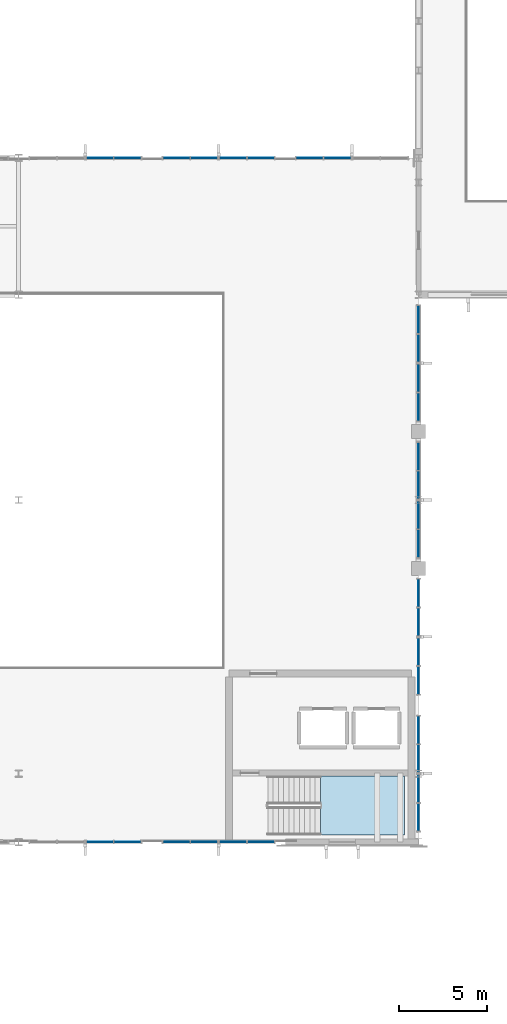
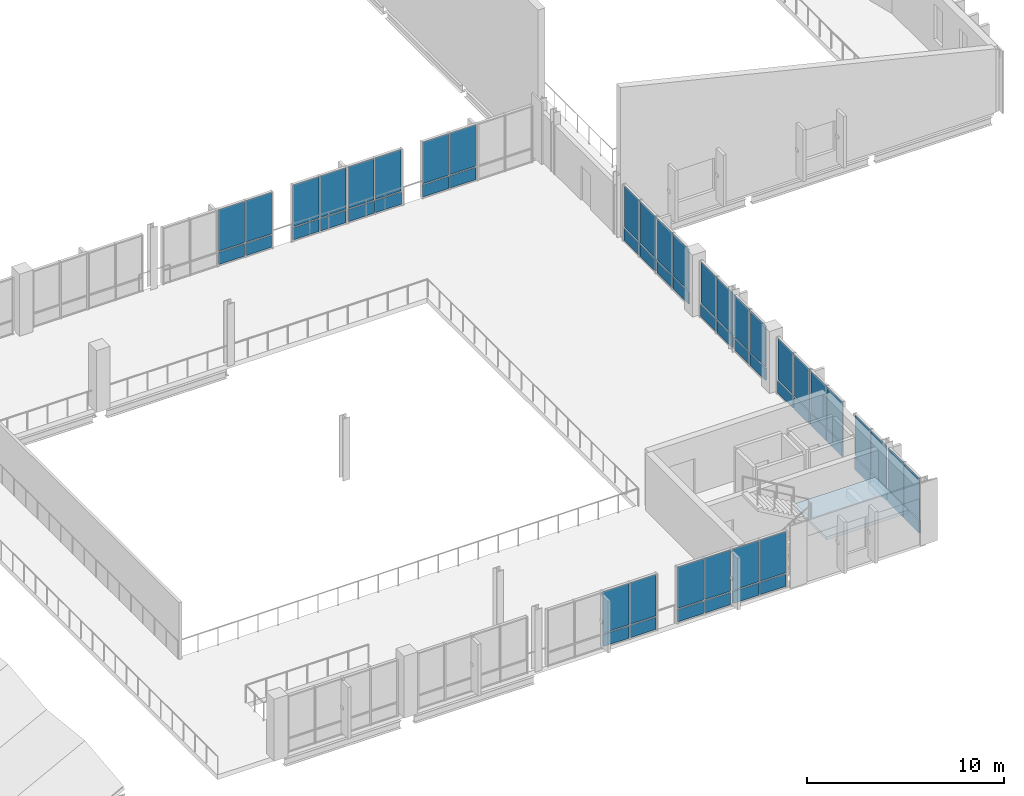
# One storey, part 33 of 64: 60 plates, 1 slab, 16 elements without a shape of their own.
"""IFC4 building model written with IfcOpenShell, lengths in metres."""

from ifc_helpers import new_model, si_unit, direction, frame, origin, origin_2d, place, context, subcontext, project, spatial, polyline, rectangle, outline, extrude, material, layer, layer_set, type_object, element, aggregate, save


model = new_model("IFC4")

# Units and contexts
model_context = context("Model", 3, precision=1e-05, world=origin(), true_north=direction((0.0, 1.0)))
body_context = subcontext(model_context, "Body", "Model", "MODEL_VIEW")
ifc_project = project(units=[si_unit("LENGTHUNIT", "METRE"), si_unit("AREAUNIT", "SQUARE_METRE"), si_unit("VOLUMEUNIT", "CUBIC_METRE"), si_unit("PLANEANGLEUNIT", "RADIAN"), si_unit("MASSUNIT", "GRAM", prefix="KILO")], contexts=[model_context])

# Site, building, storey
site_placement = place(None, origin())
site = spatial("IfcSite", under=ifc_project, at=site_placement, CompositionType="ELEMENT")
building_placement = place(site_placement, origin())
building = spatial("IfcBuilding", under=site, at=building_placement, Name="Vervanel Yard Central Library", CompositionType="ELEMENT")
storey_placement = place(building_placement, frame((0.0, 0.0, 8.93994140625)))
storey = spatial("IfcBuildingStorey", under=building, at=storey_placement, Name="L02", CompositionType="ELEMENT", Elevation=8.93994140625)

# Stair, slab
ifc_material_1 = material(Name="Concrete C40/50", Category="concrete")
stair_type = type_object("IfcStairType", Name="Protected Core Dog-Leg Stair ST-05", PredefinedType="HALF_TURN_STAIR", material=ifc_material_1)
stair_placement = place(storey_placement, origin())
stair = element("IfcStair", 1, at=stair_placement, inside=storey, type_object=stair_type, Name="L02 CORE-E Protected Exit Stair", PredefinedType="HALF_TURN_STAIR")
ifc_layer_1 = layer(ifc_material_1, 0.199951171875, Category="concrete")
ifc_layer_set_1 = layer_set([ifc_layer_1], Name="Concrete C40/50")
slab_type = type_object("IfcSlabType", Name="Core Stair Concrete Landing Slab 200", PredefinedType="LANDING", material=ifc_layer_set_1)
slab_placement = place(storey_placement, frame((0.0, 0.0, 1.719970703125)))
slab = element("IfcSlab", 2, at=slab_placement, type_object=slab_type, Name="ST-05 landing 1", PredefinedType="LANDING", context=body_context, shape_type="SweptSolid", body=[
    extrude(outline(polyline([(140.39990234375, 43.60009765625), (145.199951171875, 43.60009765625), (145.199951171875, 46.9599609375), (140.39990234375, 46.9599609375), (140.39990234375, 43.60009765625)])), origin(), (0.0, 0.0, 1.0), 0.2001953125),
])
aggregate(stair, [slab])

# Curtain wall, plates
ifc_material_2 = material(Name="Thermally broken anodized aluminium 6063-T6", Category="aluminium")
curtain_wall_type_1 = type_object("IfcCurtainWallType", Name="Reading Hall Full-Height Curtain Wall", PredefinedType="NOTDEFINED", material=ifc_material_2)
curtain_wall_1_placement = place(storey_placement, origin())
curtain_wall_1 = element("IfcCurtainWall", 3, at=curtain_wall_1_placement, inside=storey, type_object=curtain_wall_type_1, Name="L02 Reading Hall Full-Height Curtain Wall CWR-L02-073", PredefinedType="NOTDEFINED")
ifc_material_3 = material(Name="Double low-E laminated solar-control glass", Category="glass")
ifc_layer_2 = layer(ifc_material_3, 0.0380859375, Category="glass")
ifc_layer_set_2 = layer_set([ifc_layer_2], Name="Double low-E laminated solar-control glass")
plate_type_1 = type_object("IfcPlateType", Name="Reading Hall Acoustic Vision Panel 38", PredefinedType="CURTAIN_PANEL", material=ifc_layer_set_2)
plate_1_placement = place(storey_placement, frame((127.827392578125, 43.199951171875, 0.88525390625), z_axis=(0.0, 0.0, 1.0), x_axis=(1.0, 0.0, 0.0)))
plate_1 = element("IfcPlate", 4, at=plate_1_placement, type_object=plate_type_1, Name="CWR-L02-073 Panel B1-2", PredefinedType="CURTAIN_PANEL", context=body_context, shape_type="SweptSolid", body=[
    extrude(rectangle(XDim=1.514892578125, YDim=0.0380859375, at=origin_2d()), origin(), (0.0, 0.0, 1.0), 2.554931640625),
])
plate_2_placement = place(storey_placement, frame((129.41259765625, 43.199951171875, 0.88525390625), z_axis=(0.0, 0.0, 1.0), x_axis=(1.0, 0.0, 0.0)))
plate_2 = element("IfcPlate", 5, at=plate_2_placement, type_object=plate_type_1, Name="CWR-L02-073 Panel B2-2", PredefinedType="CURTAIN_PANEL", context=body_context, shape_type="SweptSolid", body=[
    extrude(rectangle(XDim=1.514892578125, YDim=0.0380859375, at=origin_2d()), origin(), (0.0, 0.0, 1.0), 2.554931640625),
])

curtain_wall_2_placement = place(storey_placement, origin())
curtain_wall_2 = element("IfcCurtainWall", 6, at=curtain_wall_2_placement, inside=storey, type_object=curtain_wall_type_1, Name="L02 Reading Hall Full-Height Curtain Wall CWR-L02-074", PredefinedType="NOTDEFINED")
plate_3_placement = place(storey_placement, frame((132.1875, 43.199951171875, 0.88525390625), z_axis=(0.0, 0.0, 1.0), x_axis=(1.0, 0.0, 0.0)))
plate_3 = element("IfcPlate", 7, at=plate_3_placement, type_object=plate_type_1, Name="CWR-L02-074 Panel B1-2", PredefinedType="CURTAIN_PANEL", context=body_context, shape_type="SweptSolid", body=[
    extrude(rectangle(XDim=1.514892578125, YDim=0.0380859375, at=origin_2d()), origin(), (0.0, 0.0, 1.0), 2.554931640625),
])
plate_4_placement = place(storey_placement, frame((133.7724609375, 43.199951171875, 0.88525390625), z_axis=(0.0, 0.0, 1.0), x_axis=(1.0, 0.0, 0.0)))
plate_4 = element("IfcPlate", 8, at=plate_4_placement, type_object=plate_type_1, Name="CWR-L02-074 Panel B2-2", PredefinedType="CURTAIN_PANEL", context=body_context, shape_type="SweptSolid", body=[
    extrude(rectangle(XDim=1.514892578125, YDim=0.0380859375, at=origin_2d()), origin(), (0.0, 0.0, 1.0), 2.554931640625),
])

curtain_wall_3_placement = place(storey_placement, origin())
curtain_wall_3 = element("IfcCurtainWall", 9, at=curtain_wall_3_placement, inside=storey, type_object=curtain_wall_type_1, Name="L02 Reading Hall Full-Height Curtain Wall CWR-L02-075", PredefinedType="NOTDEFINED")
plate_5_placement = place(storey_placement, frame((135.427490234375, 43.199951171875, 0.88525390625), z_axis=(0.0, 0.0, 1.0), x_axis=(1.0, 0.0, 0.0)))
plate_5 = element("IfcPlate", 10, at=plate_5_placement, type_object=plate_type_1, Name="CWR-L02-075 Panel B1-2", PredefinedType="CURTAIN_PANEL", context=body_context, shape_type="SweptSolid", body=[
    extrude(rectangle(XDim=1.514892578125, YDim=0.0380859375, at=origin_2d()), origin(), (0.0, 0.0, 1.0), 2.554931640625),
])
plate_6_placement = place(storey_placement, frame((137.012451171875, 43.199951171875, 0.88525390625), z_axis=(0.0, 0.0, 1.0), x_axis=(1.0, 0.0, 0.0)))
plate_6 = element("IfcPlate", 11, at=plate_6_placement, type_object=plate_type_1, Name="CWR-L02-075 Panel B2-2", PredefinedType="CURTAIN_PANEL", context=body_context, shape_type="SweptSolid", body=[
    extrude(rectangle(XDim=1.514892578125, YDim=0.0380859375, at=origin_2d()), origin(), (0.0, 0.0, 1.0), 2.554931640625),
])

curtain_wall_4_placement = place(storey_placement, origin())
curtain_wall_4 = element("IfcCurtainWall", 12, at=curtain_wall_4_placement, inside=storey, type_object=curtain_wall_type_1, Name="L02 Reading Hall Full-Height Curtain Wall CWR-L02-103", PredefinedType="NOTDEFINED")
plate_7_placement = place(storey_placement, frame((127.827392578125, 82.199951171875, 0.88525390625), z_axis=(0.0, 0.0, 1.0), x_axis=(1.0, 0.0, 0.0)))
plate_7 = element("IfcPlate", 13, at=plate_7_placement, type_object=plate_type_1, Name="CWR-L02-103 Panel B1-2", PredefinedType="CURTAIN_PANEL", context=body_context, shape_type="SweptSolid", body=[
    extrude(rectangle(XDim=1.514892578125, YDim=0.0380859375, at=origin_2d()), origin(), (0.0, 0.0, 1.0), 2.554931640625),
])
plate_8_placement = place(storey_placement, frame((129.41259765625, 82.199951171875, 0.88525390625), z_axis=(0.0, 0.0, 1.0), x_axis=(1.0, 0.0, 0.0)))
plate_8 = element("IfcPlate", 14, at=plate_8_placement, type_object=plate_type_1, Name="CWR-L02-103 Panel B2-2", PredefinedType="CURTAIN_PANEL", context=body_context, shape_type="SweptSolid", body=[
    extrude(rectangle(XDim=1.514892578125, YDim=0.0380859375, at=origin_2d()), origin(), (0.0, 0.0, 1.0), 2.554931640625),
])

curtain_wall_5_placement = place(storey_placement, origin())
curtain_wall_5 = element("IfcCurtainWall", 15, at=curtain_wall_5_placement, inside=storey, type_object=curtain_wall_type_1, Name="L02 Reading Hall Full-Height Curtain Wall CWR-L02-104", PredefinedType="NOTDEFINED")
plate_9_placement = place(storey_placement, frame((132.1875, 82.199951171875, 0.88525390625), z_axis=(0.0, 0.0, 1.0), x_axis=(1.0, 0.0, 0.0)))
plate_9 = element("IfcPlate", 16, at=plate_9_placement, type_object=plate_type_1, Name="CWR-L02-104 Panel B1-2", PredefinedType="CURTAIN_PANEL", context=body_context, shape_type="SweptSolid", body=[
    extrude(rectangle(XDim=1.514892578125, YDim=0.0380859375, at=origin_2d()), origin(), (0.0, 0.0, 1.0), 2.554931640625),
])
plate_10_placement = place(storey_placement, frame((133.7724609375, 82.199951171875, 0.88525390625), z_axis=(0.0, 0.0, 1.0), x_axis=(1.0, 0.0, 0.0)))
plate_10 = element("IfcPlate", 17, at=plate_10_placement, type_object=plate_type_1, Name="CWR-L02-104 Panel B2-2", PredefinedType="CURTAIN_PANEL", context=body_context, shape_type="SweptSolid", body=[
    extrude(rectangle(XDim=1.514892578125, YDim=0.0380859375, at=origin_2d()), origin(), (0.0, 0.0, 1.0), 2.554931640625),
])

curtain_wall_6_placement = place(storey_placement, origin())
curtain_wall_6 = element("IfcCurtainWall", 18, at=curtain_wall_6_placement, inside=storey, type_object=curtain_wall_type_1, Name="L02 Reading Hall Full-Height Curtain Wall CWR-L02-105", PredefinedType="NOTDEFINED")
plate_11_placement = place(storey_placement, frame((135.427490234375, 82.199951171875, 0.88525390625), z_axis=(0.0, 0.0, 1.0), x_axis=(1.0, 0.0, 0.0)))
plate_11 = element("IfcPlate", 19, at=plate_11_placement, type_object=plate_type_1, Name="CWR-L02-105 Panel B1-2", PredefinedType="CURTAIN_PANEL", context=body_context, shape_type="SweptSolid", body=[
    extrude(rectangle(XDim=1.514892578125, YDim=0.0380859375, at=origin_2d()), origin(), (0.0, 0.0, 1.0), 2.554931640625),
])
plate_12_placement = place(storey_placement, frame((137.012451171875, 82.199951171875, 0.88525390625), z_axis=(0.0, 0.0, 1.0), x_axis=(1.0, 0.0, 0.0)))
plate_12 = element("IfcPlate", 20, at=plate_12_placement, type_object=plate_type_1, Name="CWR-L02-105 Panel B2-2", PredefinedType="CURTAIN_PANEL", context=body_context, shape_type="SweptSolid", body=[
    extrude(rectangle(XDim=1.514892578125, YDim=0.0380859375, at=origin_2d()), origin(), (0.0, 0.0, 1.0), 2.554931640625),
])

curtain_wall_7_placement = place(storey_placement, origin())
curtain_wall_7 = element("IfcCurtainWall", 21, at=curtain_wall_7_placement, inside=storey, type_object=curtain_wall_type_1, Name="L02 Reading Hall Full-Height Curtain Wall CWR-L02-106", PredefinedType="NOTDEFINED")
plate_13_placement = place(storey_placement, frame((139.78759765625, 82.199951171875, 0.88525390625), z_axis=(0.0, 0.0, 1.0), x_axis=(1.0, 0.0, 0.0)))
plate_13 = element("IfcPlate", 22, at=plate_13_placement, type_object=plate_type_1, Name="CWR-L02-106 Panel B1-2", PredefinedType="CURTAIN_PANEL", context=body_context, shape_type="SweptSolid", body=[
    extrude(rectangle(XDim=1.514892578125, YDim=0.0380859375, at=origin_2d()), origin(), (0.0, 0.0, 1.0), 2.554931640625),
])
plate_14_placement = place(storey_placement, frame((141.37255859375, 82.199951171875, 0.88525390625), z_axis=(0.0, 0.0, 1.0), x_axis=(1.0, 0.0, 0.0)))
plate_14 = element("IfcPlate", 23, at=plate_14_placement, type_object=plate_type_1, Name="CWR-L02-106 Panel B2-2", PredefinedType="CURTAIN_PANEL", context=body_context, shape_type="SweptSolid", body=[
    extrude(rectangle(XDim=1.514892578125, YDim=0.0380859375, at=origin_2d()), origin(), (0.0, 0.0, 1.0), 2.554931640625),
])

curtain_wall_type_2 = type_object("IfcCurtainWallType", Name="Prow Cantilever Glazed Curtain Wall", PredefinedType="NOTDEFINED", material=ifc_material_2)
curtain_wall_8_placement = place(storey_placement, origin())
curtain_wall_8 = element("IfcCurtainWall", 24, at=curtain_wall_8_placement, inside=storey, type_object=curtain_wall_type_2, Name="L02 Prow Cantilever Glazed Curtain Wall CWR-L02-132", PredefinedType="NOTDEFINED")
plate_15_placement = place(storey_placement, frame((146.0, 44.612548828125, 0.88525390625), z_axis=(0.0, 0.0, 1.0), x_axis=(0.0, 1.0, 0.0)))
plate_15 = element("IfcPlate", 25, at=plate_15_placement, type_object=plate_type_1, Name="CWR-L02-132 Panel B1-2", PredefinedType="CURTAIN_PANEL", context=body_context, shape_type="SweptSolid", body=[
    extrude(rectangle(XDim=1.56494140625, YDim=0.0380859375, at=origin_2d()), origin(), (0.0, 0.0, 1.0), 2.554931640625),
])
plate_16_placement = place(storey_placement, frame((146.0, 46.24755859375, 0.88525390625), z_axis=(0.0, 0.0, 1.0), x_axis=(0.0, 1.0, 0.0)))
plate_16 = element("IfcPlate", 26, at=plate_16_placement, type_object=plate_type_1, Name="CWR-L02-132 Panel B2-2", PredefinedType="CURTAIN_PANEL", context=body_context, shape_type="SweptSolid", body=[
    extrude(rectangle(XDim=1.56494140625, YDim=0.0380859375, at=origin_2d()), origin(), (0.0, 0.0, 1.0), 2.554931640625),
])

curtain_wall_9_placement = place(storey_placement, origin())
curtain_wall_9 = element("IfcCurtainWall", 27, at=curtain_wall_9_placement, inside=storey, type_object=curtain_wall_type_2, Name="L02 Prow Cantilever Glazed Curtain Wall CWR-L02-133", PredefinedType="NOTDEFINED")
plate_17_placement = place(storey_placement, frame((146.0, 47.952392578125, 0.88525390625), z_axis=(0.0, 0.0, 1.0), x_axis=(0.0, 1.0, 0.0)))
plate_17 = element("IfcPlate", 28, at=plate_17_placement, type_object=plate_type_1, Name="CWR-L02-133 Panel B1-2", PredefinedType="CURTAIN_PANEL", context=body_context, shape_type="SweptSolid", body=[
    extrude(rectangle(XDim=1.56494140625, YDim=0.0380859375, at=origin_2d()), origin(), (0.0, 0.0, 1.0), 2.554931640625),
])
plate_18_placement = place(storey_placement, frame((146.0, 49.58740234375, 0.88525390625), z_axis=(0.0, 0.0, 1.0), x_axis=(0.0, 1.0, 0.0)))
plate_18 = element("IfcPlate", 29, at=plate_18_placement, type_object=plate_type_1, Name="CWR-L02-133 Panel B2-2", PredefinedType="CURTAIN_PANEL", context=body_context, shape_type="SweptSolid", body=[
    extrude(rectangle(XDim=1.56494140625, YDim=0.0380859375, at=origin_2d()), origin(), (0.0, 0.0, 1.0), 2.554931640625),
])

curtain_wall_10_placement = place(storey_placement, origin())
curtain_wall_10 = element("IfcCurtainWall", 30, at=curtain_wall_10_placement, inside=storey, type_object=curtain_wall_type_2, Name="L02 Prow Cantilever Glazed Curtain Wall CWR-L02-134", PredefinedType="NOTDEFINED")
plate_19_placement = place(storey_placement, frame((146.0, 52.41259765625, 0.88525390625), z_axis=(0.0, 0.0, 1.0), x_axis=(0.0, 1.0, 0.0)))
plate_19 = element("IfcPlate", 31, at=plate_19_placement, type_object=plate_type_1, Name="CWR-L02-134 Panel B1-2", PredefinedType="CURTAIN_PANEL", context=body_context, shape_type="SweptSolid", body=[
    extrude(rectangle(XDim=1.56494140625, YDim=0.0380859375, at=origin_2d()), origin(), (0.0, 0.0, 1.0), 2.554931640625),
])
plate_20_placement = place(storey_placement, frame((146.0, 54.047607421875, 0.88525390625), z_axis=(0.0, 0.0, 1.0), x_axis=(0.0, 1.0, 0.0)))
plate_20 = element("IfcPlate", 32, at=plate_20_placement, type_object=plate_type_1, Name="CWR-L02-134 Panel B2-2", PredefinedType="CURTAIN_PANEL", context=body_context, shape_type="SweptSolid", body=[
    extrude(rectangle(XDim=1.56494140625, YDim=0.0380859375, at=origin_2d()), origin(), (0.0, 0.0, 1.0), 2.554931640625),
])

curtain_wall_11_placement = place(storey_placement, origin())
curtain_wall_11 = element("IfcCurtainWall", 33, at=curtain_wall_11_placement, inside=storey, type_object=curtain_wall_type_2, Name="L02 Prow Cantilever Glazed Curtain Wall CWR-L02-135", PredefinedType="NOTDEFINED")
plate_21_placement = place(storey_placement, frame((146.0, 55.75244140625, 0.88525390625), z_axis=(0.0, 0.0, 1.0), x_axis=(0.0, 1.0, 0.0)))
plate_21 = element("IfcPlate", 34, at=plate_21_placement, type_object=plate_type_1, Name="CWR-L02-135 Panel B1-2", PredefinedType="CURTAIN_PANEL", context=body_context, shape_type="SweptSolid", body=[
    extrude(rectangle(XDim=1.56494140625, YDim=0.0380859375, at=origin_2d()), origin(), (0.0, 0.0, 1.0), 2.554931640625),
])
plate_22_placement = place(storey_placement, frame((146.0, 57.387451171875, 0.88525390625), z_axis=(0.0, 0.0, 1.0), x_axis=(0.0, 1.0, 0.0)))
plate_22 = element("IfcPlate", 35, at=plate_22_placement, type_object=plate_type_1, Name="CWR-L02-135 Panel B2-2", PredefinedType="CURTAIN_PANEL", context=body_context, shape_type="SweptSolid", body=[
    extrude(rectangle(XDim=1.56494140625, YDim=0.0380859375, at=origin_2d()), origin(), (0.0, 0.0, 1.0), 2.554931640625),
])

curtain_wall_12_placement = place(storey_placement, origin())
curtain_wall_12 = element("IfcCurtainWall", 36, at=curtain_wall_12_placement, inside=storey, type_object=curtain_wall_type_2, Name="L02 Prow Cantilever Glazed Curtain Wall CWR-L02-136", PredefinedType="NOTDEFINED")
plate_23_placement = place(storey_placement, frame((146.0, 60.21240234375, 0.88525390625), z_axis=(0.0, 0.0, 1.0), x_axis=(0.0, 1.0, 0.0)))
plate_23 = element("IfcPlate", 37, at=plate_23_placement, type_object=plate_type_1, Name="CWR-L02-136 Panel B1-2", PredefinedType="CURTAIN_PANEL", context=body_context, shape_type="SweptSolid", body=[
    extrude(rectangle(XDim=1.56494140625, YDim=0.0380859375, at=origin_2d()), origin(), (0.0, 0.0, 1.0), 2.554931640625),
])
plate_24_placement = place(storey_placement, frame((146.0, 61.847412109375, 0.88525390625), z_axis=(0.0, 0.0, 1.0), x_axis=(0.0, 1.0, 0.0)))
plate_24 = element("IfcPlate", 38, at=plate_24_placement, type_object=plate_type_1, Name="CWR-L02-136 Panel B2-2", PredefinedType="CURTAIN_PANEL", context=body_context, shape_type="SweptSolid", body=[
    extrude(rectangle(XDim=1.56494140625, YDim=0.0380859375, at=origin_2d()), origin(), (0.0, 0.0, 1.0), 2.554931640625),
])

curtain_wall_13_placement = place(storey_placement, origin())
curtain_wall_13 = element("IfcCurtainWall", 39, at=curtain_wall_13_placement, inside=storey, type_object=curtain_wall_type_2, Name="L02 Prow Cantilever Glazed Curtain Wall CWR-L02-137", PredefinedType="NOTDEFINED")
plate_25_placement = place(storey_placement, frame((146.0, 63.552490234375, 0.88525390625), z_axis=(0.0, 0.0, 1.0), x_axis=(0.0, 1.0, 0.0)))
plate_25 = element("IfcPlate", 40, at=plate_25_placement, type_object=plate_type_1, Name="CWR-L02-137 Panel B1-2", PredefinedType="CURTAIN_PANEL", context=body_context, shape_type="SweptSolid", body=[
    extrude(rectangle(XDim=1.56494140625, YDim=0.0380859375, at=origin_2d()), origin(), (0.0, 0.0, 1.0), 2.554931640625),
])
plate_26_placement = place(storey_placement, frame((146.0, 65.1875, 0.88525390625), z_axis=(0.0, 0.0, 1.0), x_axis=(0.0, 1.0, 0.0)))
plate_26 = element("IfcPlate", 41, at=plate_26_placement, type_object=plate_type_1, Name="CWR-L02-137 Panel B2-2", PredefinedType="CURTAIN_PANEL", context=body_context, shape_type="SweptSolid", body=[
    extrude(rectangle(XDim=1.56494140625, YDim=0.0380859375, at=origin_2d()), origin(), (0.0, 0.0, 1.0), 2.554931640625),
])

curtain_wall_14_placement = place(storey_placement, origin())
curtain_wall_14 = element("IfcCurtainWall", 42, at=curtain_wall_14_placement, inside=storey, type_object=curtain_wall_type_2, Name="L02 Prow Cantilever Glazed Curtain Wall CWR-L02-138", PredefinedType="NOTDEFINED")
plate_27_placement = place(storey_placement, frame((146.0, 68.012451171875, 0.88525390625), z_axis=(0.0, 0.0, 1.0), x_axis=(0.0, 1.0, 0.0)))
plate_27 = element("IfcPlate", 43, at=plate_27_placement, type_object=plate_type_1, Name="CWR-L02-138 Panel B1-2", PredefinedType="CURTAIN_PANEL", context=body_context, shape_type="SweptSolid", body=[
    extrude(rectangle(XDim=1.56494140625, YDim=0.0380859375, at=origin_2d()), origin(), (0.0, 0.0, 1.0), 2.554931640625),
])
plate_28_placement = place(storey_placement, frame((146.0, 69.6474609375, 0.88525390625), z_axis=(0.0, 0.0, 1.0), x_axis=(0.0, 1.0, 0.0)))
plate_28 = element("IfcPlate", 44, at=plate_28_placement, type_object=plate_type_1, Name="CWR-L02-138 Panel B2-2", PredefinedType="CURTAIN_PANEL", context=body_context, shape_type="SweptSolid", body=[
    extrude(rectangle(XDim=1.56494140625, YDim=0.0380859375, at=origin_2d()), origin(), (0.0, 0.0, 1.0), 2.554931640625),
])

curtain_wall_15_placement = place(storey_placement, origin())
curtain_wall_15 = element("IfcCurtainWall", 45, at=curtain_wall_15_placement, inside=storey, type_object=curtain_wall_type_2, Name="L02 Prow Cantilever Glazed Curtain Wall CWR-L02-139", PredefinedType="NOTDEFINED")
plate_29_placement = place(storey_placement, frame((146.0, 71.3525390625, 0.88525390625), z_axis=(0.0, 0.0, 1.0), x_axis=(0.0, 1.0, 0.0)))
plate_29 = element("IfcPlate", 46, at=plate_29_placement, type_object=plate_type_1, Name="CWR-L02-139 Panel B1-2", PredefinedType="CURTAIN_PANEL", context=body_context, shape_type="SweptSolid", body=[
    extrude(rectangle(XDim=1.56494140625, YDim=0.0380859375, at=origin_2d()), origin(), (0.0, 0.0, 1.0), 2.554931640625),
])
plate_30_placement = place(storey_placement, frame((146.0, 72.987548828125, 0.88525390625), z_axis=(0.0, 0.0, 1.0), x_axis=(0.0, 1.0, 0.0)))
plate_30 = element("IfcPlate", 47, at=plate_30_placement, type_object=plate_type_1, Name="CWR-L02-139 Panel B2-2", PredefinedType="CURTAIN_PANEL", context=body_context, shape_type="SweptSolid", body=[
    extrude(rectangle(XDim=1.56494140625, YDim=0.0380859375, at=origin_2d()), origin(), (0.0, 0.0, 1.0), 2.554931640625),
])

# Plate
ifc_material_4 = material(Name="Insulated bronze aluminium spandrel panel", Category="aluminium")
ifc_layer_3 = layer(ifc_material_4, 0.094970703125, Category="aluminium")
ifc_layer_set_3 = layer_set([ifc_layer_3], Name="Insulated bronze aluminium spandrel panel")
plate_type_2 = type_object("IfcPlateType", Name="Reading Hall Shadow-Box Spandrel 95", PredefinedType="CURTAIN_PANEL", material=ifc_layer_set_3)
plate_31_placement = place(storey_placement, frame((127.827392578125, 43.199951171875, 0.070068359375), z_axis=(0.0, 0.0, 1.0), x_axis=(1.0, 0.0, 0.0)))
plate_31 = element("IfcPlate", 48, at=plate_31_placement, type_object=plate_type_2, Name="CWR-L02-073 Panel B1-1", PredefinedType="CURTAIN_PANEL", context=body_context, shape_type="SweptSolid", body=[
    extrude(rectangle(XDim=1.514892578125, YDim=0.094970703125, at=origin_2d()), origin(), (0.0, 0.0, 1.0), 0.7451171875),
])

plate_32_placement = place(storey_placement, frame((129.41259765625, 43.199951171875, 0.070068359375), z_axis=(0.0, 0.0, 1.0), x_axis=(1.0, 0.0, 0.0)))
plate_32 = element("IfcPlate", 49, at=plate_32_placement, type_object=plate_type_2, Name="CWR-L02-073 Panel B2-1", PredefinedType="CURTAIN_PANEL", context=body_context, shape_type="SweptSolid", body=[
    extrude(rectangle(XDim=1.514892578125, YDim=0.094970703125, at=origin_2d()), origin(), (0.0, 0.0, 1.0), 0.7451171875),
])

aggregate(curtain_wall_1, [plate_31, plate_1, plate_32, plate_2])

plate_33_placement = place(storey_placement, frame((132.1875, 43.199951171875, 0.070068359375), z_axis=(0.0, 0.0, 1.0), x_axis=(1.0, 0.0, 0.0)))
plate_33 = element("IfcPlate", 50, at=plate_33_placement, type_object=plate_type_2, Name="CWR-L02-074 Panel B1-1", PredefinedType="CURTAIN_PANEL", context=body_context, shape_type="SweptSolid", body=[
    extrude(rectangle(XDim=1.514892578125, YDim=0.094970703125, at=origin_2d()), origin(), (0.0, 0.0, 1.0), 0.7451171875),
])

plate_34_placement = place(storey_placement, frame((133.7724609375, 43.199951171875, 0.070068359375), z_axis=(0.0, 0.0, 1.0), x_axis=(1.0, 0.0, 0.0)))
plate_34 = element("IfcPlate", 51, at=plate_34_placement, type_object=plate_type_2, Name="CWR-L02-074 Panel B2-1", PredefinedType="CURTAIN_PANEL", context=body_context, shape_type="SweptSolid", body=[
    extrude(rectangle(XDim=1.514892578125, YDim=0.094970703125, at=origin_2d()), origin(), (0.0, 0.0, 1.0), 0.7451171875),
])

aggregate(curtain_wall_2, [plate_33, plate_3, plate_34, plate_4])

plate_35_placement = place(storey_placement, frame((135.427490234375, 43.199951171875, 0.070068359375), z_axis=(0.0, 0.0, 1.0), x_axis=(1.0, 0.0, 0.0)))
plate_35 = element("IfcPlate", 52, at=plate_35_placement, type_object=plate_type_2, Name="CWR-L02-075 Panel B1-1", PredefinedType="CURTAIN_PANEL", context=body_context, shape_type="SweptSolid", body=[
    extrude(rectangle(XDim=1.514892578125, YDim=0.094970703125, at=origin_2d()), origin(), (0.0, 0.0, 1.0), 0.7451171875),
])

plate_36_placement = place(storey_placement, frame((137.012451171875, 43.199951171875, 0.070068359375), z_axis=(0.0, 0.0, 1.0), x_axis=(1.0, 0.0, 0.0)))
plate_36 = element("IfcPlate", 53, at=plate_36_placement, type_object=plate_type_2, Name="CWR-L02-075 Panel B2-1", PredefinedType="CURTAIN_PANEL", context=body_context, shape_type="SweptSolid", body=[
    extrude(rectangle(XDim=1.514892578125, YDim=0.094970703125, at=origin_2d()), origin(), (0.0, 0.0, 1.0), 0.7451171875),
])

aggregate(curtain_wall_3, [plate_35, plate_5, plate_36, plate_6])

plate_37_placement = place(storey_placement, frame((127.827392578125, 82.199951171875, 0.070068359375), z_axis=(0.0, 0.0, 1.0), x_axis=(1.0, 0.0, 0.0)))
plate_37 = element("IfcPlate", 54, at=plate_37_placement, type_object=plate_type_2, Name="CWR-L02-103 Panel B1-1", PredefinedType="CURTAIN_PANEL", context=body_context, shape_type="SweptSolid", body=[
    extrude(rectangle(XDim=1.514892578125, YDim=0.094970703125, at=origin_2d()), origin(), (0.0, 0.0, 1.0), 0.7451171875),
])

plate_38_placement = place(storey_placement, frame((129.41259765625, 82.199951171875, 0.070068359375), z_axis=(0.0, 0.0, 1.0), x_axis=(1.0, 0.0, 0.0)))
plate_38 = element("IfcPlate", 55, at=plate_38_placement, type_object=plate_type_2, Name="CWR-L02-103 Panel B2-1", PredefinedType="CURTAIN_PANEL", context=body_context, shape_type="SweptSolid", body=[
    extrude(rectangle(XDim=1.514892578125, YDim=0.094970703125, at=origin_2d()), origin(), (0.0, 0.0, 1.0), 0.7451171875),
])

aggregate(curtain_wall_4, [plate_37, plate_7, plate_38, plate_8])

plate_39_placement = place(storey_placement, frame((132.1875, 82.199951171875, 0.070068359375), z_axis=(0.0, 0.0, 1.0), x_axis=(1.0, 0.0, 0.0)))
plate_39 = element("IfcPlate", 56, at=plate_39_placement, type_object=plate_type_2, Name="CWR-L02-104 Panel B1-1", PredefinedType="CURTAIN_PANEL", context=body_context, shape_type="SweptSolid", body=[
    extrude(rectangle(XDim=1.514892578125, YDim=0.094970703125, at=origin_2d()), origin(), (0.0, 0.0, 1.0), 0.7451171875),
])

plate_40_placement = place(storey_placement, frame((133.7724609375, 82.199951171875, 0.070068359375), z_axis=(0.0, 0.0, 1.0), x_axis=(1.0, 0.0, 0.0)))
plate_40 = element("IfcPlate", 57, at=plate_40_placement, type_object=plate_type_2, Name="CWR-L02-104 Panel B2-1", PredefinedType="CURTAIN_PANEL", context=body_context, shape_type="SweptSolid", body=[
    extrude(rectangle(XDim=1.514892578125, YDim=0.094970703125, at=origin_2d()), origin(), (0.0, 0.0, 1.0), 0.7451171875),
])

aggregate(curtain_wall_5, [plate_39, plate_9, plate_40, plate_10])

plate_41_placement = place(storey_placement, frame((135.427490234375, 82.199951171875, 0.070068359375), z_axis=(0.0, 0.0, 1.0), x_axis=(1.0, 0.0, 0.0)))
plate_41 = element("IfcPlate", 58, at=plate_41_placement, type_object=plate_type_2, Name="CWR-L02-105 Panel B1-1", PredefinedType="CURTAIN_PANEL", context=body_context, shape_type="SweptSolid", body=[
    extrude(rectangle(XDim=1.514892578125, YDim=0.094970703125, at=origin_2d()), origin(), (0.0, 0.0, 1.0), 0.7451171875),
])

plate_42_placement = place(storey_placement, frame((137.012451171875, 82.199951171875, 0.070068359375), z_axis=(0.0, 0.0, 1.0), x_axis=(1.0, 0.0, 0.0)))
plate_42 = element("IfcPlate", 59, at=plate_42_placement, type_object=plate_type_2, Name="CWR-L02-105 Panel B2-1", PredefinedType="CURTAIN_PANEL", context=body_context, shape_type="SweptSolid", body=[
    extrude(rectangle(XDim=1.514892578125, YDim=0.094970703125, at=origin_2d()), origin(), (0.0, 0.0, 1.0), 0.7451171875),
])

aggregate(curtain_wall_6, [plate_41, plate_11, plate_42, plate_12])

plate_43_placement = place(storey_placement, frame((139.78759765625, 82.199951171875, 0.070068359375), z_axis=(0.0, 0.0, 1.0), x_axis=(1.0, 0.0, 0.0)))
plate_43 = element("IfcPlate", 60, at=plate_43_placement, type_object=plate_type_2, Name="CWR-L02-106 Panel B1-1", PredefinedType="CURTAIN_PANEL", context=body_context, shape_type="SweptSolid", body=[
    extrude(rectangle(XDim=1.514892578125, YDim=0.094970703125, at=origin_2d()), origin(), (0.0, 0.0, 1.0), 0.7451171875),
])

plate_44_placement = place(storey_placement, frame((141.37255859375, 82.199951171875, 0.070068359375), z_axis=(0.0, 0.0, 1.0), x_axis=(1.0, 0.0, 0.0)))
plate_44 = element("IfcPlate", 61, at=plate_44_placement, type_object=plate_type_2, Name="CWR-L02-106 Panel B2-1", PredefinedType="CURTAIN_PANEL", context=body_context, shape_type="SweptSolid", body=[
    extrude(rectangle(XDim=1.514892578125, YDim=0.094970703125, at=origin_2d()), origin(), (0.0, 0.0, 1.0), 0.7451171875),
])

aggregate(curtain_wall_7, [plate_43, plate_13, plate_44, plate_14])

plate_45_placement = place(storey_placement, frame((146.0, 44.612548828125, 0.070068359375), z_axis=(0.0, 0.0, 1.0), x_axis=(0.0, 1.0, 0.0)))
plate_45 = element("IfcPlate", 62, at=plate_45_placement, type_object=plate_type_2, Name="CWR-L02-132 Panel B1-1", PredefinedType="CURTAIN_PANEL", context=body_context, shape_type="SweptSolid", body=[
    extrude(rectangle(XDim=1.56494140625, YDim=0.094970703125, at=origin_2d()), origin(), (0.0, 0.0, 1.0), 0.7451171875),
])

plate_46_placement = place(storey_placement, frame((146.0, 46.24755859375, 0.070068359375), z_axis=(0.0, 0.0, 1.0), x_axis=(0.0, 1.0, 0.0)))
plate_46 = element("IfcPlate", 63, at=plate_46_placement, type_object=plate_type_2, Name="CWR-L02-132 Panel B2-1", PredefinedType="CURTAIN_PANEL", context=body_context, shape_type="SweptSolid", body=[
    extrude(rectangle(XDim=1.56494140625, YDim=0.094970703125, at=origin_2d()), origin(), (0.0, 0.0, 1.0), 0.7451171875),
])

aggregate(curtain_wall_8, [plate_45, plate_15, plate_46, plate_16])

plate_47_placement = place(storey_placement, frame((146.0, 47.952392578125, 0.070068359375), z_axis=(0.0, 0.0, 1.0), x_axis=(0.0, 1.0, 0.0)))
plate_47 = element("IfcPlate", 64, at=plate_47_placement, type_object=plate_type_2, Name="CWR-L02-133 Panel B1-1", PredefinedType="CURTAIN_PANEL", context=body_context, shape_type="SweptSolid", body=[
    extrude(rectangle(XDim=1.56494140625, YDim=0.094970703125, at=origin_2d()), origin(), (0.0, 0.0, 1.0), 0.7451171875),
])

plate_48_placement = place(storey_placement, frame((146.0, 49.58740234375, 0.070068359375), z_axis=(0.0, 0.0, 1.0), x_axis=(0.0, 1.0, 0.0)))
plate_48 = element("IfcPlate", 65, at=plate_48_placement, type_object=plate_type_2, Name="CWR-L02-133 Panel B2-1", PredefinedType="CURTAIN_PANEL", context=body_context, shape_type="SweptSolid", body=[
    extrude(rectangle(XDim=1.56494140625, YDim=0.094970703125, at=origin_2d()), origin(), (0.0, 0.0, 1.0), 0.7451171875),
])

aggregate(curtain_wall_9, [plate_47, plate_17, plate_48, plate_18])

plate_49_placement = place(storey_placement, frame((146.0, 52.41259765625, 0.070068359375), z_axis=(0.0, 0.0, 1.0), x_axis=(0.0, 1.0, 0.0)))
plate_49 = element("IfcPlate", 66, at=plate_49_placement, type_object=plate_type_2, Name="CWR-L02-134 Panel B1-1", PredefinedType="CURTAIN_PANEL", context=body_context, shape_type="SweptSolid", body=[
    extrude(rectangle(XDim=1.56494140625, YDim=0.094970703125, at=origin_2d()), origin(), (0.0, 0.0, 1.0), 0.7451171875),
])

plate_50_placement = place(storey_placement, frame((146.0, 54.047607421875, 0.070068359375), z_axis=(0.0, 0.0, 1.0), x_axis=(0.0, 1.0, 0.0)))
plate_50 = element("IfcPlate", 67, at=plate_50_placement, type_object=plate_type_2, Name="CWR-L02-134 Panel B2-1", PredefinedType="CURTAIN_PANEL", context=body_context, shape_type="SweptSolid", body=[
    extrude(rectangle(XDim=1.56494140625, YDim=0.094970703125, at=origin_2d()), origin(), (0.0, 0.0, 1.0), 0.7451171875),
])

aggregate(curtain_wall_10, [plate_49, plate_19, plate_50, plate_20])

plate_51_placement = place(storey_placement, frame((146.0, 55.75244140625, 0.070068359375), z_axis=(0.0, 0.0, 1.0), x_axis=(0.0, 1.0, 0.0)))
plate_51 = element("IfcPlate", 68, at=plate_51_placement, type_object=plate_type_2, Name="CWR-L02-135 Panel B1-1", PredefinedType="CURTAIN_PANEL", context=body_context, shape_type="SweptSolid", body=[
    extrude(rectangle(XDim=1.56494140625, YDim=0.094970703125, at=origin_2d()), origin(), (0.0, 0.0, 1.0), 0.7451171875),
])

plate_52_placement = place(storey_placement, frame((146.0, 57.387451171875, 0.070068359375), z_axis=(0.0, 0.0, 1.0), x_axis=(0.0, 1.0, 0.0)))
plate_52 = element("IfcPlate", 69, at=plate_52_placement, type_object=plate_type_2, Name="CWR-L02-135 Panel B2-1", PredefinedType="CURTAIN_PANEL", context=body_context, shape_type="SweptSolid", body=[
    extrude(rectangle(XDim=1.56494140625, YDim=0.094970703125, at=origin_2d()), origin(), (0.0, 0.0, 1.0), 0.7451171875),
])

aggregate(curtain_wall_11, [plate_51, plate_21, plate_52, plate_22])

plate_53_placement = place(storey_placement, frame((146.0, 60.21240234375, 0.070068359375), z_axis=(0.0, 0.0, 1.0), x_axis=(0.0, 1.0, 0.0)))
plate_53 = element("IfcPlate", 70, at=plate_53_placement, type_object=plate_type_2, Name="CWR-L02-136 Panel B1-1", PredefinedType="CURTAIN_PANEL", context=body_context, shape_type="SweptSolid", body=[
    extrude(rectangle(XDim=1.56494140625, YDim=0.094970703125, at=origin_2d()), origin(), (0.0, 0.0, 1.0), 0.7451171875),
])

plate_54_placement = place(storey_placement, frame((146.0, 61.847412109375, 0.070068359375), z_axis=(0.0, 0.0, 1.0), x_axis=(0.0, 1.0, 0.0)))
plate_54 = element("IfcPlate", 71, at=plate_54_placement, type_object=plate_type_2, Name="CWR-L02-136 Panel B2-1", PredefinedType="CURTAIN_PANEL", context=body_context, shape_type="SweptSolid", body=[
    extrude(rectangle(XDim=1.56494140625, YDim=0.094970703125, at=origin_2d()), origin(), (0.0, 0.0, 1.0), 0.7451171875),
])

aggregate(curtain_wall_12, [plate_53, plate_23, plate_54, plate_24])

plate_55_placement = place(storey_placement, frame((146.0, 63.552490234375, 0.070068359375), z_axis=(0.0, 0.0, 1.0), x_axis=(0.0, 1.0, 0.0)))
plate_55 = element("IfcPlate", 72, at=plate_55_placement, type_object=plate_type_2, Name="CWR-L02-137 Panel B1-1", PredefinedType="CURTAIN_PANEL", context=body_context, shape_type="SweptSolid", body=[
    extrude(rectangle(XDim=1.56494140625, YDim=0.094970703125, at=origin_2d()), origin(), (0.0, 0.0, 1.0), 0.7451171875),
])

plate_56_placement = place(storey_placement, frame((146.0, 65.1875, 0.070068359375), z_axis=(0.0, 0.0, 1.0), x_axis=(0.0, 1.0, 0.0)))
plate_56 = element("IfcPlate", 73, at=plate_56_placement, type_object=plate_type_2, Name="CWR-L02-137 Panel B2-1", PredefinedType="CURTAIN_PANEL", context=body_context, shape_type="SweptSolid", body=[
    extrude(rectangle(XDim=1.56494140625, YDim=0.094970703125, at=origin_2d()), origin(), (0.0, 0.0, 1.0), 0.7451171875),
])

aggregate(curtain_wall_13, [plate_55, plate_25, plate_56, plate_26])

plate_57_placement = place(storey_placement, frame((146.0, 68.012451171875, 0.070068359375), z_axis=(0.0, 0.0, 1.0), x_axis=(0.0, 1.0, 0.0)))
plate_57 = element("IfcPlate", 74, at=plate_57_placement, type_object=plate_type_2, Name="CWR-L02-138 Panel B1-1", PredefinedType="CURTAIN_PANEL", context=body_context, shape_type="SweptSolid", body=[
    extrude(rectangle(XDim=1.56494140625, YDim=0.094970703125, at=origin_2d()), origin(), (0.0, 0.0, 1.0), 0.7451171875),
])

plate_58_placement = place(storey_placement, frame((146.0, 69.6474609375, 0.070068359375), z_axis=(0.0, 0.0, 1.0), x_axis=(0.0, 1.0, 0.0)))
plate_58 = element("IfcPlate", 75, at=plate_58_placement, type_object=plate_type_2, Name="CWR-L02-138 Panel B2-1", PredefinedType="CURTAIN_PANEL", context=body_context, shape_type="SweptSolid", body=[
    extrude(rectangle(XDim=1.56494140625, YDim=0.094970703125, at=origin_2d()), origin(), (0.0, 0.0, 1.0), 0.7451171875),
])

aggregate(curtain_wall_14, [plate_57, plate_27, plate_58, plate_28])

plate_59_placement = place(storey_placement, frame((146.0, 71.3525390625, 0.070068359375), z_axis=(0.0, 0.0, 1.0), x_axis=(0.0, 1.0, 0.0)))
plate_59 = element("IfcPlate", 76, at=plate_59_placement, type_object=plate_type_2, Name="CWR-L02-139 Panel B1-1", PredefinedType="CURTAIN_PANEL", context=body_context, shape_type="SweptSolid", body=[
    extrude(rectangle(XDim=1.56494140625, YDim=0.094970703125, at=origin_2d()), origin(), (0.0, 0.0, 1.0), 0.7451171875),
])

plate_60_placement = place(storey_placement, frame((146.0, 72.987548828125, 0.070068359375), z_axis=(0.0, 0.0, 1.0), x_axis=(0.0, 1.0, 0.0)))
plate_60 = element("IfcPlate", 77, at=plate_60_placement, type_object=plate_type_2, Name="CWR-L02-139 Panel B2-1", PredefinedType="CURTAIN_PANEL", context=body_context, shape_type="SweptSolid", body=[
    extrude(rectangle(XDim=1.56494140625, YDim=0.094970703125, at=origin_2d()), origin(), (0.0, 0.0, 1.0), 0.7451171875),
])

aggregate(curtain_wall_15, [plate_59, plate_29, plate_60, plate_30])

save(model, "model.ifc")
